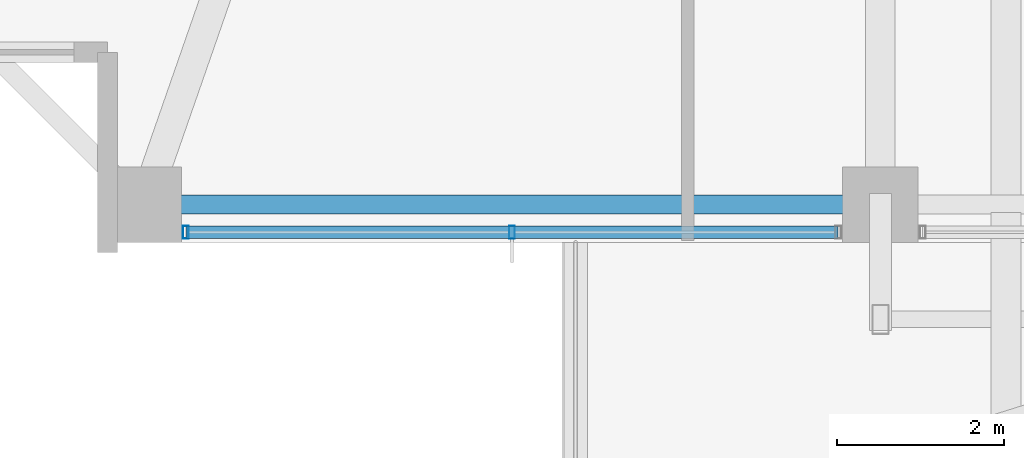
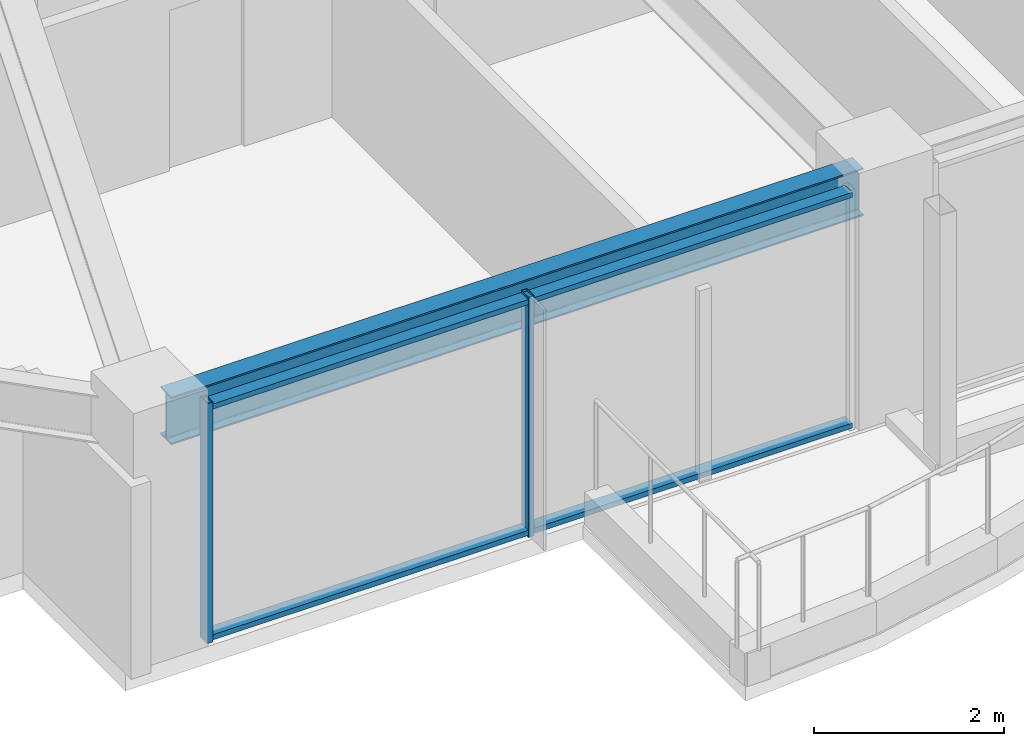
# One storey, part 2 of 37: 4 members, 1 beam, 1 element without a shape of its own.
"""IFC4 building model written with IfcOpenShell, lengths in metres."""

import ifcopenshell
import ifcopenshell.guid

model = None  # the IFC model being written
_history = None  # IfcOwnerHistory: only IFC2X3 demands one
_inside = {}  # id of a spatial element -> (the spatial element, [elements in it])
_under = {}  # id of a project, library or spatial element -> (it, [spatial elements below it])
_declared = {}  # id of a project -> (the project, [libraries it declares])
_typed = {}  # id of a type object -> (the type object, [elements of that type])
_made_of = {}  # id of a material, layer set ... -> (it, [elements and type objects made of it])


def new_model(schema):
    """Start an empty IFC model of exactly this schema.

    Asked for "IFC4X3", IfcOpenShell would pick the latest addendum, in which some entities
    have other attributes; the version numbers below select the first issue.
    IFC2X3 requires an IfcOwnerHistory on every rooted entity: one is made here for all.
    """
    global model, _history
    if schema == "IFC4X3":
        model = ifcopenshell.file(schema_version=(4, 3, 0, 0))
    else:
        model = ifcopenshell.file(schema=schema)
    _inside.clear()
    _under.clear()
    _declared.clear()
    _typed.clear()
    _made_of.clear()
    _history = None
    if model.schema == "IFC2X3":
        org = make("IfcOrganization", Name="unknown")
        user = make(
            "IfcPersonAndOrganization",
            ThePerson=make("IfcPerson", FamilyName="unknown"),
            TheOrganization=org,
        )
        app = make(
            "IfcApplication",
            ApplicationDeveloper=org,
            Version="unknown",
            ApplicationFullName="unknown",
            ApplicationIdentifier="unknown",
        )
        _history = make(
            "IfcOwnerHistory",
            OwningUser=user,
            OwningApplication=app,
            ChangeAction="ADDED",
            CreationDate=0,
        )
    return model


def make(cls, **values):
    """One entity of the class cls with the attributes given. An attribute that is None is left unset."""
    return model.create_entity(
        cls, **{name: value for name, value in values.items() if value is not None}
    )


def rooted(cls, **values):
    """An entity with a GlobalId (a new one), such as an element, a storey or a relation."""
    return make(cls, GlobalId=ifcopenshell.guid.new(), OwnerHistory=_history, **values)


def si_unit(unit_type, name, prefix=None):
    """IfcSIUnit, for example si_unit("LENGTHUNIT", "METRE", prefix="MILLI")."""
    return make("IfcSIUnit", UnitType=unit_type, Prefix=prefix, Name=name)


def assignment(units):
    """IfcUnitAssignment: the units of a project."""
    return None if units is None else make("IfcUnitAssignment", Units=units)


def point(xyz):
    """IfcCartesianPoint."""
    return None if xyz is None else make("IfcCartesianPoint", Coordinates=xyz)


def direction(xyz):
    """IfcDirection."""
    return None if xyz is None else make("IfcDirection", DirectionRatios=xyz)


def frame(location, z_axis=None, x_axis=None):
    """IfcAxis2Placement3D, a coordinate frame: its origin and axes. An axis left out is left unset."""
    return make(
        "IfcAxis2Placement3D",
        Location=point(location),
        Axis=direction(z_axis),
        RefDirection=direction(x_axis),
    )


def frame_2d(location, x_axis=None):
    """IfcAxis2Placement2D, a coordinate frame in the plane: its origin and x axis."""
    return make(
        "IfcAxis2Placement2D", Location=point(location), RefDirection=direction(x_axis)
    )


def origin():
    """The frame at (0, 0, 0) with its axes left unset."""
    return frame((0.0, 0.0, 0.0))


def origin_2d():
    """The frame at (0, 0) in the plane with its x axis left unset."""
    return frame_2d((0.0, 0.0))


def place(relative_to, where):
    """IfcLocalPlacement: puts the frame where relative to a parent placement (None: the world)."""
    return make(
        "IfcLocalPlacement", PlacementRelTo=relative_to, RelativePlacement=where
    )


def context(
    kind, dimensions, precision=None, world=None, true_north=None, identifier=None
):
    """IfcGeometricRepresentationContext, for example the 3D "Model" context."""
    return make(
        "IfcGeometricRepresentationContext",
        ContextIdentifier=identifier,
        ContextType=kind,
        CoordinateSpaceDimension=dimensions,
        Precision=precision,
        WorldCoordinateSystem=world,
        TrueNorth=true_north,
    )


def subcontext(parent, identifier, kind, view, scale=None):
    """IfcGeometricRepresentationSubContext, for example "Body" below "Model"."""
    return make(
        "IfcGeometricRepresentationSubContext",
        ContextIdentifier=identifier,
        ContextType=kind,
        ParentContext=parent,
        TargetScale=scale,
        TargetView=view,
    )


def project(units=None, contexts=None):
    """IfcProject with its units and contexts."""
    return rooted(
        "IfcProject",
        Name="project",
        RepresentationContexts=contexts,
        UnitsInContext=assignment(units),
    )


def spatial(cls, under=None, at=None, **own):
    """A site, building, storey or space (cls), placed at a placement, below another one or the project."""
    s = rooted(cls, ObjectPlacement=at, **own)
    if under is not None:
        _under.setdefault(under.id(), (under, []))[1].append(s)
    return s


def profile(cls, at=None, kind="AREA", **sizes):
    """A parametric profile (cls). Its sizes go by their IFC names, for example OverallWidth=200.0."""
    return make(cls, ProfileType=kind, Position=at, **sizes)


def hollow_rectangle(**sizes):
    """IfcRectangleHollowProfileDef."""
    return profile("IfcRectangleHollowProfileDef", **sizes)


def i_section(**sizes):
    """IfcIShapeProfileDef."""
    return profile("IfcIShapeProfileDef", **sizes)


def extrude(swept, where, along, depth):
    """IfcExtrudedAreaSolid: the profile swept, set in the frame where, extruded along a direction by depth."""
    return make(
        "IfcExtrudedAreaSolid",
        SweptArea=swept,
        Position=where,
        ExtrudedDirection=direction(along),
        Depth=depth,
    )


def shape(context_of_items, identifier, shape_type, items):
    """IfcShapeRepresentation: the items that make up one representation, for example the "Body"."""
    return make(
        "IfcShapeRepresentation",
        ContextOfItems=context_of_items,
        RepresentationIdentifier=identifier,
        RepresentationType=shape_type,
        Items=items,
    )


def material(Name=None, Category=None):
    """IfcMaterial."""
    return make("IfcMaterial", Name=Name, Category=Category)


def material_profile(
    of_material, cross_section, Name=None, Category=None, Priority=None
):
    """IfcMaterialProfile: a cross section and its material."""
    return make(
        "IfcMaterialProfile",
        Name=Name,
        Material=of_material,
        Profile=cross_section,
        Priority=Priority,
        Category=Category,
    )


def profile_set(profiles, Name=None, composite=None):
    """IfcMaterialProfileSet."""
    return make(
        "IfcMaterialProfileSet",
        Name=Name,
        MaterialProfiles=profiles,
        CompositeProfile=composite,
    )


def made_of(thing, what):
    """Note that an element or type object is made of a material, layer set ...; save() writes the relation."""
    if what is not None:
        _made_of.setdefault(what.id(), (what, []))[1].append(thing)
    return thing


def type_object(cls, material=None, **own):
    """A type object (cls), such as IfcWallType, which elements share."""
    return made_of(rooted(cls, **own), material)


def element(
    cls,
    number,
    at=None,
    inside=None,
    cuts=None,
    type_object=None,
    material=None,
    context=None,
    identifier="Body",
    shape_type=None,
    held_by="IfcProductDefinitionShape",
    body=None,
    shapes=None,
    **own,
):
    """One element of the class cls, such as IfcWall. Its Tag is "e" and its number.

    at: its placement. inside: the storey or other place that contains it. cuts: it is an
    opening in that element (IfcRelVoidsElement). A single representation is given by context,
    identifier, shape_type and body (its items); several are given by shapes. held_by: the class
    of the entity that holds the representations. save() writes the other relations.
    """
    e = rooted(cls, Tag="e%d" % number, ObjectPlacement=at, **own)
    if body is not None:
        shapes = [shape(context, identifier, shape_type, body)]
    if shapes is not None:
        e.Representation = make(held_by, Representations=shapes)
    if inside is not None:
        _inside.setdefault(inside.id(), (inside, []))[1].append(e)
    if cuts is not None:
        rooted(
            "IfcRelVoidsElement", RelatingBuildingElement=cuts, RelatedOpeningElement=e
        )
    if type_object is not None:
        _typed.setdefault(type_object.id(), (type_object, []))[1].append(e)
    return made_of(e, material)


def aggregate(whole, parts):
    """IfcRelAggregates: a whole, such as a stair, and the parts it consists of."""
    return rooted("IfcRelAggregates", RelatingObject=whole, RelatedObjects=parts)


def save(model, path):
    """Write the relations noted so far, then the file.

    IfcRelAggregates (storeys below a building ...), IfcRelContainedInSpatialStructure (elements
    in a storey), IfcRelDefinesByType, IfcRelAssociatesMaterial and IfcRelDeclares: one each for
    every whole, place, type object, material and project.
    """
    for whole, parts in _under.values():
        aggregate(whole, parts)
    for where, things in _inside.values():
        rooted(
            "IfcRelContainedInSpatialStructure",
            RelatedElements=things,
            RelatingStructure=where,
        )
    for kind, things in _typed.values():
        rooted("IfcRelDefinesByType", RelatedObjects=things, RelatingType=kind)
    for what, things in _made_of.values():
        rooted("IfcRelAssociatesMaterial", RelatedObjects=things, RelatingMaterial=what)
    for by, libraries in _declared.values():
        rooted("IfcRelDeclares", RelatingContext=by, RelatedDefinitions=libraries)
    model.write(path)


model = new_model("IFC4")

# Units and contexts
model_context = context("Model", 3, precision=1e-05, world=origin(), true_north=direction((0.0, 1.0)))
body_context = subcontext(model_context, "Body", "Model", "MODEL_VIEW")
ifc_project = project(units=[si_unit("LENGTHUNIT", "METRE"), si_unit("AREAUNIT", "SQUARE_METRE"), si_unit("VOLUMEUNIT", "CUBIC_METRE"), si_unit("PLANEANGLEUNIT", "RADIAN"), si_unit("MASSUNIT", "GRAM", prefix="KILO")], contexts=[model_context])

# Site, building, storey
site_placement = place(None, origin())
site = spatial("IfcSite", under=ifc_project, at=site_placement, CompositionType="ELEMENT")
building_placement = place(site_placement, origin())
building = spatial("IfcBuilding", under=site, at=building_placement, Name="Kolvaren Belvedere", CompositionType="ELEMENT")
storey_placement = place(building_placement, frame((0.0, 0.0, 173.39990234375)))
storey = spatial("IfcBuildingStorey", under=building, at=storey_placement, Name="L50", CompositionType="ELEMENT", Elevation=173.39990234375)

# Beam
ifc_material_1 = material(Name="Structural steel ASTM A992 Grade 50", Category="steel")
ifc_material_profile_1 = material_profile(ifc_material_1, i_section(OverallWidth=0.22900390625, OverallDepth=0.612060546875, WebThickness=0.011962890625, FlangeThickness=0.01953125, FilletRadius=0.01806640625, at=origin_2d()), Name="W24X84")
ifc_profile_set_1 = profile_set([ifc_material_profile_1], Name="Structural steel ASTM A992 Grade 50")
beam_type = type_object("IfcBeamType", Name="BM-SPAN-W24X84", PredefinedType="SPANDREL", material=ifc_profile_set_1)
beam_placement = place(storey_placement, frame((-13.197509765625, -19.949951171875, 2.774169921875), z_axis=(1.0, 0.0, 0.0), x_axis=(0.0, 1.0, 0.0)))
element("IfcBeam", 1, at=beam_placement, inside=storey, type_object=beam_type, Name="L50 Perimeter Spandrel S1-S2", PredefinedType="SPANDREL", context=body_context, shape_type="SweptSolid", body=[
    extrude(i_section(OverallWidth=0.22900390625, OverallDepth=0.612060546875, WebThickness=0.011962890625, FlangeThickness=0.01953125, FilletRadius=0.01806640625, at=origin_2d()), origin(), (0.0, 0.0, 1.0), 8.39501953125),
])

# Curtain wall, members
ifc_material_2 = material(Name="Anodised pale-metal aluminium AA 6063-T6", Category="aluminium")
curtain_wall_type = type_object("IfcCurtainWallType", Name="CW-Z5-HIGH", PredefinedType="NOTDEFINED", material=ifc_material_2)
curtain_wall_placement = place(storey_placement, origin())
curtain_wall = element("IfcCurtainWall", 2, at=curtain_wall_placement, inside=storey, type_object=curtain_wall_type, Name="L50 Unitised Curtain Wall FCW-L50-S2-B2", PredefinedType="NOTDEFINED")
ifc_material_3 = material(Name="Anodised pale-metal aluminium AA 6063-T6", Category="aluminium")
ifc_material_profile_2 = material_profile(ifc_material_3, hollow_rectangle(XDim=0.070068359375, YDim=0.14990234375, WallThickness=0.004150390625, at=origin_2d()), Name="ALU-MUL-150X70")
ifc_profile_set_2 = profile_set([ifc_material_profile_2], Name="Anodised pale-metal aluminium AA 6063-T6")
member_type_1 = type_object("IfcMemberType", Name="CW-MUL-150", PredefinedType="MULLION", material=ifc_profile_set_2)
member_1_placement = place(storey_placement, frame((-9.0, -20.280029296875, 0.0), z_axis=(0.0, 0.0, 1.0), x_axis=(1.0, 0.0, 0.0)))
member_1 = element("IfcMember", 3, at=member_1_placement, type_object=member_type_1, Name="FCW-L50-S2-B2 Unitised Mullion 2", PredefinedType="MULLION", context=body_context, shape_type="SweptSolid", body=[
    extrude(hollow_rectangle(XDim=0.070068359375, YDim=0.14990234375, WallThickness=0.004150390625, at=origin_2d()), origin(), (0.0, 0.0, 1.0), 3.080078125),
])
member_2_placement = place(storey_placement, frame((-12.89501953125, -20.280029296875, 0.0), z_axis=(0.0, 0.0, 1.0), x_axis=(1.0, 0.0, 0.0)))
member_2 = element("IfcMember", 4, at=member_2_placement, type_object=member_type_1, Name="FCW-L50-S2-B2 Unitised Mullion 3", PredefinedType="MULLION", context=body_context, shape_type="SweptSolid", body=[
    extrude(hollow_rectangle(XDim=0.070068359375, YDim=0.14990234375, WallThickness=0.004150390625, at=origin_2d()), origin(), (0.0, 0.0, 1.0), 3.080078125),
])
ifc_material_4 = material(Name="Anodised pale-metal aluminium AA 6063-T6", Category="aluminium")
ifc_material_profile_3 = material_profile(ifc_material_4, hollow_rectangle(XDim=0.06494140625, YDim=0.14990234375, WallThickness=0.00390625, at=origin_2d()), Name="ALU-TRN-150X65")
ifc_profile_set_3 = profile_set([ifc_material_profile_3], Name="Anodised pale-metal aluminium AA 6063-T6")
member_type_2 = type_object("IfcMemberType", Name="CW-TRN-150", PredefinedType="USERDEFINED", material=ifc_profile_set_3)
member_3_placement = place(storey_placement, frame((-5.10498046875, -20.280029296875, 0.06005859375), z_axis=(-1.0, 0.0, 0.0), x_axis=(0.0, 0.0, 1.0)))
member_3 = element("IfcMember", 5, at=member_3_placement, type_object=member_type_2, Name="FCW-L50-S2-B2 Sill Transom", ObjectType="TRANSOM", PredefinedType="USERDEFINED", context=body_context, shape_type="SweptSolid", body=[
    extrude(hollow_rectangle(XDim=0.06494140625, YDim=0.14990234375, WallThickness=0.00390625, at=origin_2d()), origin(), (0.0, 0.0, 1.0), 7.7900390625),
])
member_4_placement = place(storey_placement, frame((-5.10498046875, -20.280029296875, 3.02001953125), z_axis=(-1.0, 0.0, 0.0), x_axis=(0.0, 0.0, 1.0)))
member_4 = element("IfcMember", 6, at=member_4_placement, type_object=member_type_2, Name="FCW-L50-S2-B2 Head Transom", ObjectType="TRANSOM", PredefinedType="USERDEFINED", context=body_context, shape_type="SweptSolid", body=[
    extrude(hollow_rectangle(XDim=0.06494140625, YDim=0.14990234375, WallThickness=0.00390625, at=origin_2d()), origin(), (0.0, 0.0, 1.0), 7.7900390625),
])
aggregate(curtain_wall, [member_1, member_2, member_3, member_4])

save(model, "model.ifc")
